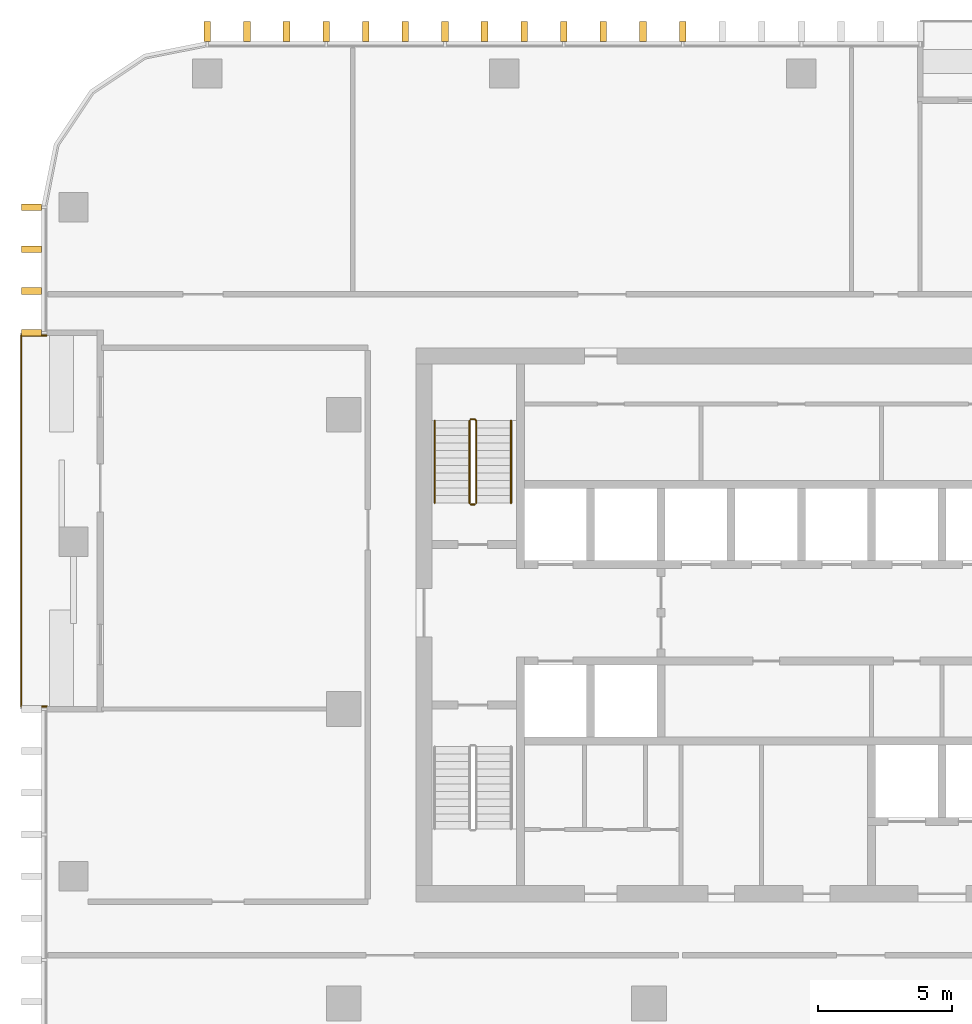
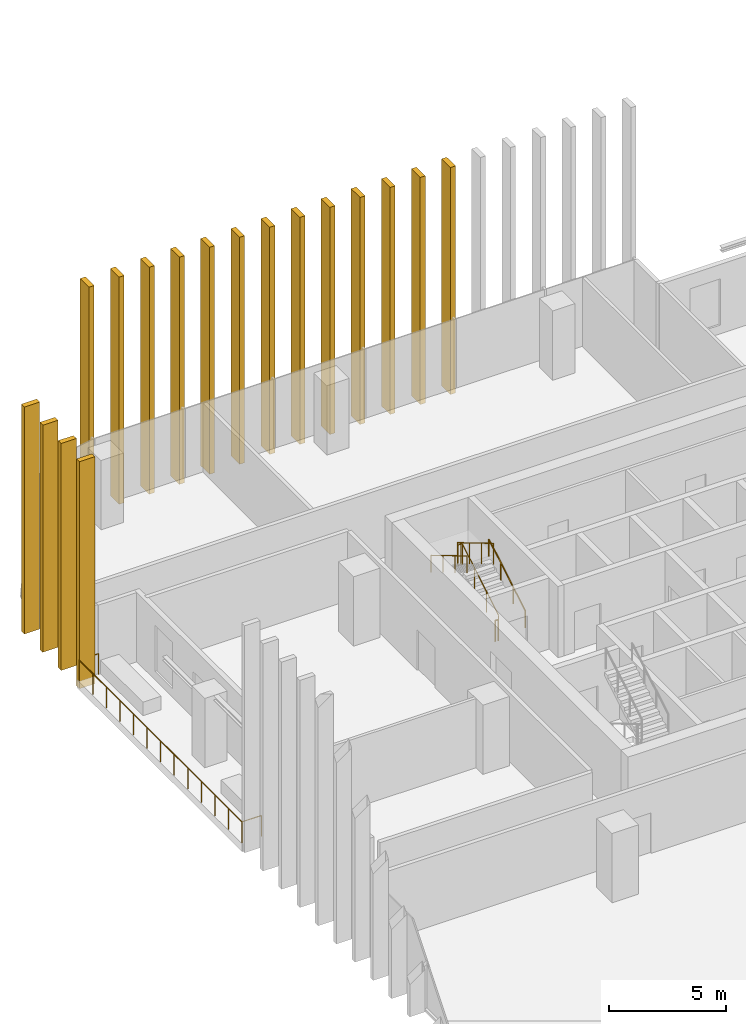
# One storey, part 14 of 16: 17 shading devices, 6 railings.
"""IFC4 building model written with IfcOpenShell, lengths in metres."""

from ifc_helpers import new_model, si_unit, direction, frame, origin, origin_2d, place, context, subcontext, project, spatial, rectangle, circle, extrude, material, type_object, element, save


model = new_model("IFC4")

# Units and contexts
model_context = context("Model", 3, precision=1e-05, world=origin(), true_north=direction((0.0, 1.0)))
body_context = subcontext(model_context, "Body", "Model", "MODEL_VIEW")
ifc_project = project(units=[si_unit("LENGTHUNIT", "METRE"), si_unit("AREAUNIT", "SQUARE_METRE"), si_unit("VOLUMEUNIT", "CUBIC_METRE"), si_unit("PLANEANGLEUNIT", "RADIAN"), si_unit("MASSUNIT", "GRAM", prefix="KILO")], contexts=[model_context])

# Site, building, storey
site_placement = place(None, origin())
site = spatial("IfcSite", under=ifc_project, at=site_placement, CompositionType="ELEMENT")
building_placement = place(site_placement, origin())
building = spatial("IfcBuilding", under=site, at=building_placement, Name="Mopane Tessera Tower", CompositionType="ELEMENT")
storey_placement = place(building_placement, frame((0.0, 0.0, 247.0)))
storey = spatial("IfcBuildingStorey", under=building, at=storey_placement, Name="L53", CompositionType="ELEMENT", Elevation=247.0)

# Shading devices
ifc_material_1 = material(Name="Glazed ceramic tile")
shading_device_type = type_object("IfcShadingDeviceType", Name="Ceramic tile fin 750 x 250 mm", PredefinedType="USERDEFINED", material=ifc_material_1)
for number, where, z_axis, x_axis, name in (
    (1, (-4.43994140625, 25.324951171875, -0.39990234375), (0.0, 0.0, 1.0), (-1.0, 0.0, 0.0), "e:fin:L53:N:6:0"),
    (2, (-5.919921875, 25.324951171875, -0.39990234375), (0.0, 0.0, 1.0), (-1.0, 0.0, 0.0), "e:fin:L53:N:6:1"),
    (3, (-7.39990234375, 25.324951171875, -0.39990234375), (0.0, 0.0, 1.0), (-1.0, 0.0, 0.0), "e:fin:L53:N:6:2"),
    (4, (-8.8798828125, 25.324951171875, -0.39990234375), (0.0, 0.0, 1.0), (-1.0, 0.0, 0.0), "e:fin:L53:N:7:0"),
    (5, (-10.360107421875, 25.324951171875, -0.39990234375), (0.0, 0.0, 1.0), (-1.0, 0.0, 0.0), "e:fin:L53:N:7:1"),
    (6, (-11.840087890625, 25.324951171875, -0.39990234375), (0.0, 0.0, 1.0), (-1.0, 0.0, 0.0), "e:fin:L53:N:7:2"),
    (7, (-13.320068359375, 25.324951171875, -0.39990234375), (0.0, 0.0, 1.0), (-1.0, 0.0, 0.0), "e:fin:L53:N:8:0"),
    (8, (-14.800048828125, 25.324951171875, -0.39990234375), (0.0, 0.0, 1.0), (-1.0, 0.0, 0.0), "e:fin:L53:N:8:1"),
    (9, (-16.280029296875, 25.324951171875, -0.39990234375), (0.0, 0.0, 1.0), (-1.0, 0.0, 0.0), "e:fin:L53:N:8:2"),
    (10, (-17.760009765625, 25.324951171875, -0.39990234375), (0.0, 0.0, 1.0), (-1.0, 0.0, 0.0), "e:fin:L53:N:9:0"),
    (11, (-19.239990234375, 25.324951171875, -0.39990234375), (0.0, 0.0, 1.0), (-1.0, 0.0, 0.0), "e:fin:L53:N:9:1"),
    (12, (-20.719970703125, 25.324951171875, -0.39990234375), (0.0, 0.0, 1.0), (-1.0, 0.0, 0.0), "e:fin:L53:N:9:2"),
    (13, (-22.199951171875, 25.324951171875, -0.39990234375), (0.0, 0.0, 1.0), (-1.0, 0.0, 0.0), "e:fin:L53:N:9:3"),
    (14, (-28.77490234375, 18.75, -0.39990234375), (0.0, 0.0, 1.0), (0.0, -1.0, 0.0), "e:fin:L53:W:0:0"),
    (15, (-28.77490234375, 17.1875, -0.39990234375), (0.0, 0.0, 1.0), (0.0, -1.0, 0.0), "e:fin:L53:W:0:1"),
    (16, (-28.77490234375, 15.625, -0.39990234375), (0.0, 0.0, 1.0), (0.0, -1.0, 0.0), "e:fin:L53:W:0:2"),
    (17, (-28.77490234375, 14.0625, -0.39990234375), (0.0, 0.0, 1.0), (0.0, -1.0, 0.0), "e:fin:L53:W:0:3"),
):
    element("IfcShadingDevice", number, at=place(storey_placement, frame(where, z_axis=z_axis, x_axis=x_axis)), inside=storey, type_object=shading_device_type, Name=name, ObjectType="FIN", PredefinedType="USERDEFINED", context=body_context, shape_type="SweptSolid", body=[
        extrude(rectangle(XDim=0.25, YDim=0.75, at=origin_2d()), origin(), (0.0, 0.0, 1.0), 11.800048828125),
    ])

# Railings
ifc_material_2 = material(Name="Powder-coated steel balustrade", Category="steel")
railing_type_1 = type_object("IfcRailingType", Name="Escape stair guard 1100 mm", PredefinedType="GUARDRAIL", material=ifc_material_2)
railing_1_placement = place(storey_placement, frame((-12.14990234375, 7.699951171875, 0.166748046875)))
element("IfcRailing", 18, at=railing_1_placement, inside=storey, type_object=railing_type_1, Name="L53 ST2 stair guard 1", PredefinedType="GUARDRAIL", context=body_context, shape_type="SweptSolid", body=[
    extrude(circle(Radius=0.02392578125, at=origin_2d()), frame((0.0, 0.0, 1.076171875), z_axis=(0.0, 0.859308565015, 0.511457515432), x_axis=(-1.0, 0.0, 0.0)), (0.0, 0.0, 1.0), 3.58447265625),
    extrude(circle(Radius=0.02392578125, at=origin_2d()), frame((0.0, 3.080078125, 2.9091796875), z_axis=(-0.707106781187, 0.707106781187, 0.0), x_axis=(-0.707106781187, -0.707106781187, 0.0)), (0.0, 0.0, 1.0), 0.07080078125),
    extrude(circle(Radius=0.02392578125, at=origin_2d()), frame((-0.050048828125, 3.130126953125, 2.9091796875), z_axis=(-1.0, 0.0, 0.0), x_axis=(0.0, -1.0, 0.0)), (0.0, 0.0, 1.0), 0.150146484375),
    extrude(circle(Radius=0.02099609375, at=origin_2d()), origin(), (0.0, 0.0, 1.0), 1.052001953125),
    extrude(circle(Radius=0.02099609375, at=origin_2d()), frame((0.0, 1.026611328125, 0.611083984375)), (0.0, 0.0, 1.0), 1.052001953125),
    extrude(circle(Radius=0.02099609375, at=origin_2d()), frame((0.0, 2.053466796875, 1.22216796875)), (0.0, 0.0, 1.0), 1.052001953125),
    extrude(circle(Radius=0.02099609375, at=origin_2d()), frame((0.0, 3.080078125, 1.833251953125)), (0.0, 0.0, 1.0), 1.052001953125),
    extrude(circle(Radius=0.02099609375, at=origin_2d()), frame((-0.050048828125, 3.130126953125, 1.833251953125)), (0.0, 0.0, 1.0), 1.052001953125),
    extrude(circle(Radius=0.02099609375, at=origin_2d()), frame((-0.2001953125, 3.130126953125, 1.833251953125)), (0.0, 0.0, 1.0), 1.052001953125),
])
railing_2_placement = place(storey_placement, frame((-12.39990234375, 10.780029296875, 2.166748046875)))
element("IfcRailing", 19, at=railing_2_placement, inside=storey, type_object=railing_type_1, Name="L53 ST2 stair guard 2", PredefinedType="GUARDRAIL", context=body_context, shape_type="SweptSolid", body=[
    extrude(circle(Radius=0.02392578125, at=origin_2d()), frame((0.0, 0.0, 1.076171875), z_axis=(0.0, -0.859308565015, 0.511457515432), x_axis=(1.0, 0.0, 0.0)), (0.0, 0.0, 1.0), 3.58447265625),
    extrude(circle(Radius=0.02099609375, at=origin_2d()), origin(), (0.0, 0.0, 1.0), 1.052001953125),
    extrude(circle(Radius=0.02099609375, at=origin_2d()), frame((0.0, -1.026611328125, 0.611083984375)), (0.0, 0.0, 1.0), 1.052001953125),
    extrude(circle(Radius=0.02099609375, at=origin_2d()), frame((0.0, -2.053466796875, 1.22216796875)), (0.0, 0.0, 1.0), 1.052001953125),
    extrude(circle(Radius=0.02099609375, at=origin_2d()), frame((0.0, -3.080078125, 1.833251953125)), (0.0, 0.0, 1.0), 1.052001953125),
])
railing_3_placement = place(storey_placement, frame((-12.199951171875, 7.64990234375, 0.0)))
element("IfcRailing", 20, at=railing_3_placement, inside=storey, type_object=railing_type_1, Name="L53 ST2 stair guard 3", PredefinedType="GUARDRAIL", context=body_context, shape_type="SweptSolid", body=[
    extrude(circle(Radius=0.02392578125, at=origin_2d()), frame((0.0, 0.0, 1.076171875), z_axis=(-1.0, 0.0, 0.0), x_axis=(0.0, -1.0, 0.0)), (0.0, 0.0, 1.0), 0.150146484375),
    extrude(circle(Radius=0.02099609375, at=origin_2d()), origin(), (0.0, 0.0, 1.0), 1.052001953125),
    extrude(circle(Radius=0.02099609375, at=origin_2d()), frame((-0.150146484375, 0.0, 0.0)), (0.0, 0.0, 1.0), 1.052001953125),
])
ifc_material_3 = material(Name="Powder-coated steel balustrade", Category="steel")
railing_type_2 = type_object("IfcRailingType", Name="Escape stair handrail 900 mm", PredefinedType="HANDRAIL", material=ifc_material_3)
railing_4_placement = place(storey_placement, frame((-10.85009765625, 7.699951171875, 0.166748046875)))
element("IfcRailing", 21, at=railing_4_placement, inside=storey, type_object=railing_type_2, Name="L53 ST2 stair handrail 1", PredefinedType="HANDRAIL", context=body_context, shape_type="SweptSolid", body=[
    extrude(circle(Radius=0.02392578125, at=origin_2d()), frame((0.0, 0.0, 0.8759765625), z_axis=(0.0, 0.859308565015, 0.511457515432), x_axis=(-1.0, 0.0, 0.0)), (0.0, 0.0, 1.0), 3.58447265625),
    extrude(circle(Radius=0.02099609375, at=origin_2d()), origin(), (0.0, 0.0, 1.0), 0.851806640625),
    extrude(circle(Radius=0.02099609375, at=origin_2d()), frame((0.0, 1.026611328125, 0.611083984375)), (0.0, 0.0, 1.0), 0.851806640625),
    extrude(circle(Radius=0.02099609375, at=origin_2d()), frame((0.0, 2.053466796875, 1.22216796875)), (0.0, 0.0, 1.0), 0.851806640625),
    extrude(circle(Radius=0.02099609375, at=origin_2d()), frame((0.0, 3.080078125, 1.833251953125)), (0.0, 0.0, 1.0), 0.851806640625),
])
railing_5_placement = place(storey_placement, frame((-13.699951171875, 10.780029296875, 2.166748046875)))
element("IfcRailing", 22, at=railing_5_placement, inside=storey, type_object=railing_type_2, Name="L53 ST2 stair handrail 2", PredefinedType="HANDRAIL", context=body_context, shape_type="SweptSolid", body=[
    extrude(circle(Radius=0.02392578125, at=origin_2d()), frame((0.0, 0.0, 0.8759765625), z_axis=(0.0, -0.859308565015, 0.511457515432), x_axis=(1.0, 0.0, 0.0)), (0.0, 0.0, 1.0), 3.58447265625),
    extrude(circle(Radius=0.02099609375, at=origin_2d()), origin(), (0.0, 0.0, 1.0), 0.851806640625),
    extrude(circle(Radius=0.02099609375, at=origin_2d()), frame((0.0, -1.026611328125, 0.611083984375)), (0.0, 0.0, 1.0), 0.851806640625),
    extrude(circle(Radius=0.02099609375, at=origin_2d()), frame((0.0, -2.053466796875, 1.22216796875)), (0.0, 0.0, 1.0), 0.851806640625),
    extrude(circle(Radius=0.02099609375, at=origin_2d()), frame((0.0, -3.080078125, 1.833251953125)), (0.0, 0.0, 1.0), 0.851806640625),
])
ifc_material_4 = material(Name="Stainless steel S316", Category="steel")
railing_type_3 = type_object("IfcRailingType", Name="Terrace guard 1100", PredefinedType="GUARDRAIL", material=ifc_material_4)
railing_6_placement = place(storey_placement, frame((-28.199951171875, 13.96240234375, 0.0)))
element("IfcRailing", 23, at=railing_6_placement, inside=storey, type_object=railing_type_3, Name="e:nw:L53:N3:guard", PredefinedType="GUARDRAIL", context=body_context, shape_type="SweptSolid", body=[
    extrude(circle(Radius=0.02392578125, at=origin_2d()), frame((0.0, 0.0, 1.076171875), z_axis=(-1.0, 0.0, 0.0), x_axis=(0.0, -1.0, 0.0)), (0.0, 0.0, 1.0), 0.949951171875),
    extrude(circle(Radius=0.02392578125, at=origin_2d()), frame((-0.949951171875, 0.0, 1.076171875), z_axis=(0.0, -1.0, 0.0), x_axis=(1.0, 0.0, 0.0)), (0.0, 0.0, 1.0), 13.8623046875),
    extrude(circle(Radius=0.02392578125, at=origin_2d()), frame((-0.949951171875, -13.8623046875, 1.076171875), z_axis=(1.0, 0.0, 0.0), x_axis=(0.0, 1.0, 0.0)), (0.0, 0.0, 1.0), 0.949951171875),
    extrude(circle(Radius=0.02099609375, at=origin_2d()), origin(), (0.0, 0.0, 1.0), 1.052001953125),
    extrude(circle(Radius=0.02099609375, at=origin_2d()), frame((-0.949951171875, 0.0, 0.0)), (0.0, 0.0, 1.0), 1.052001953125),
    extrude(circle(Radius=0.02099609375, at=origin_2d()), frame((-0.949951171875, -1.1552734375, 0.0)), (0.0, 0.0, 1.0), 1.052001953125),
    extrude(circle(Radius=0.02099609375, at=origin_2d()), frame((-0.949951171875, -2.310302734375, 0.0)), (0.0, 0.0, 1.0), 1.052001953125),
    extrude(circle(Radius=0.02099609375, at=origin_2d()), frame((-0.949951171875, -3.465576171875, 0.0)), (0.0, 0.0, 1.0), 1.052001953125),
    extrude(circle(Radius=0.02099609375, at=origin_2d()), frame((-0.949951171875, -4.620849609375, 0.0)), (0.0, 0.0, 1.0), 1.052001953125),
    extrude(circle(Radius=0.02099609375, at=origin_2d()), frame((-0.949951171875, -5.77587890625, 0.0)), (0.0, 0.0, 1.0), 1.052001953125),
    extrude(circle(Radius=0.02099609375, at=origin_2d()), frame((-0.949951171875, -6.93115234375, 0.0)), (0.0, 0.0, 1.0), 1.052001953125),
    extrude(circle(Radius=0.02099609375, at=origin_2d()), frame((-0.949951171875, -8.08642578125, 0.0)), (0.0, 0.0, 1.0), 1.052001953125),
    extrude(circle(Radius=0.02099609375, at=origin_2d()), frame((-0.949951171875, -9.241455078125, 0.0)), (0.0, 0.0, 1.0), 1.052001953125),
    extrude(circle(Radius=0.02099609375, at=origin_2d()), frame((-0.949951171875, -10.396728515625, 0.0)), (0.0, 0.0, 1.0), 1.052001953125),
    extrude(circle(Radius=0.02099609375, at=origin_2d()), frame((-0.949951171875, -11.552001953125, 0.0)), (0.0, 0.0, 1.0), 1.052001953125),
    extrude(circle(Radius=0.02099609375, at=origin_2d()), frame((-0.949951171875, -12.70703125, 0.0)), (0.0, 0.0, 1.0), 1.052001953125),
    extrude(circle(Radius=0.02099609375, at=origin_2d()), frame((-0.949951171875, -13.8623046875, 0.0)), (0.0, 0.0, 1.0), 1.052001953125),
    extrude(circle(Radius=0.02099609375, at=origin_2d()), frame((0.0, -13.8623046875, 0.0)), (0.0, 0.0, 1.0), 1.052001953125),
])

save(model, "model.ifc")
